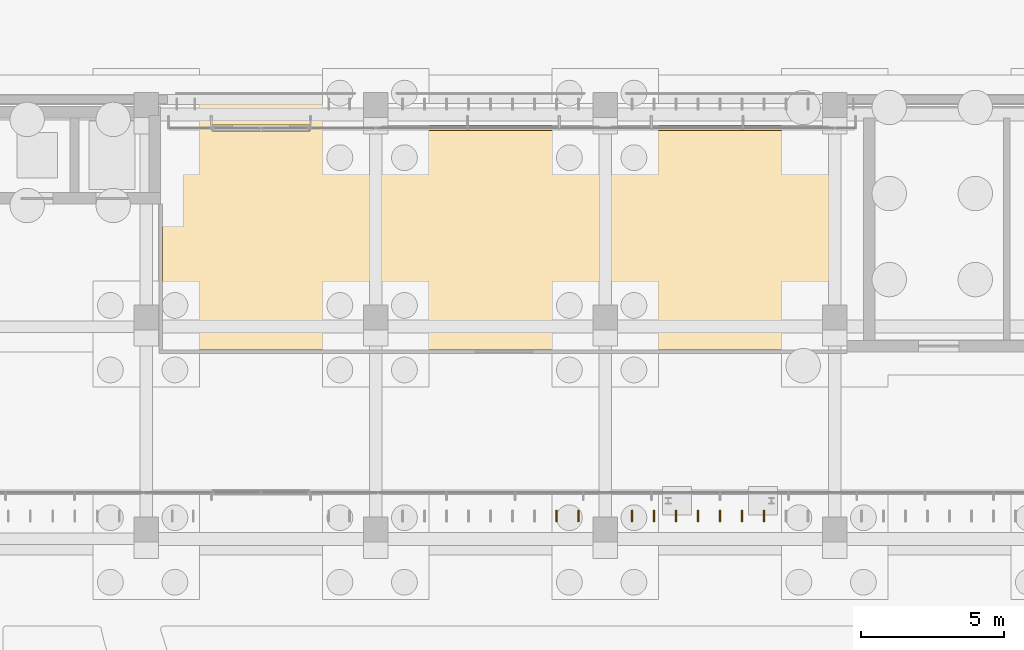
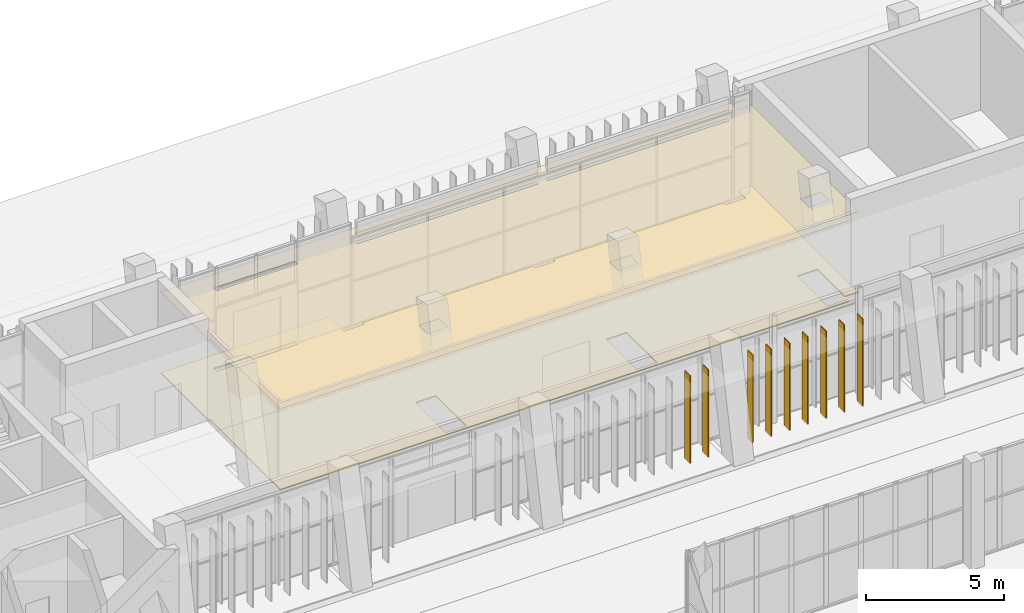
# One storey, part 133 of 144: 9 shading devices, 2 coverings.
"""IFC4 building model written with IfcOpenShell, lengths in metres."""

from ifc_helpers import new_model, si_unit, direction, frame, origin, origin_2d, place, context, subcontext, project, spatial, polyline, rectangle, outline, extrude, material, layer, layer_set, type_object, element, save


model = new_model("IFC4")

# Units and contexts
model_context = context("Model", 3, precision=1e-05, world=origin(), true_north=direction((0.0, 1.0)))
body_context = subcontext(model_context, "Body", "Model", "MODEL_VIEW")
ifc_project = project(units=[si_unit("LENGTHUNIT", "METRE"), si_unit("AREAUNIT", "SQUARE_METRE"), si_unit("VOLUMEUNIT", "CUBIC_METRE"), si_unit("PLANEANGLEUNIT", "RADIAN"), si_unit("MASSUNIT", "GRAM", prefix="KILO")], contexts=[model_context])

# Site, building, storey
site_placement = place(None, origin())
site = spatial("IfcSite", under=ifc_project, at=site_placement, CompositionType="ELEMENT")
building_placement = place(site_placement, origin())
building = spatial("IfcBuilding", under=site, at=building_placement, Name="Lantern Court Media Centre", CompositionType="ELEMENT")
storey_placement = place(building_placement, origin())
storey = spatial("IfcBuildingStorey", under=building, at=storey_placement, Name="L00", CompositionType="ELEMENT", Elevation=0.0)

# Coverings
ifc_material_1 = material(Name="Carpet")
ifc_layer_1 = layer(ifc_material_1, 0.050048828125)
ifc_layer_set_1 = layer_set([ifc_layer_1], Name="Carpet")
covering_type_1 = type_object("IfcCoveringType", Name="Carpet floor finish", PredefinedType="FLOORING", material=ifc_layer_set_1)
covering_1_placement = place(storey_placement, origin())
element("IfcCovering", 1, at=covering_1_placement, inside=storey, type_object=covering_type_1, Name="Newsroom floor finish", PredefinedType="FLOORING", context=body_context, shape_type="SweptSolid", body=[
    extrude(outline(polyline([(39.570068359375, 111.699951171875), (39.574951171875, 110.63671875), (40.426025390625, 110.63671875), (40.429931640625, 110.77001953125), (47.570068359375, 110.77001953125), (47.574951171875, 110.63671875), (48.426025390625, 110.63671875), (48.429931640625, 110.77001953125), (55.570068359375, 110.77001953125), (55.573974609375, 110.63671875), (56.425048828125, 110.63671875), (56.429931640625, 111.195068359375), (56.9951171875, 111.195068359375), (56.9951171875, 103.455078125), (56.429931640625, 103.455078125), (56.42919921875, 105.427734375), (55.574951171875, 105.429931640625), (55.5703125, 103.23974609375), (56.419921875, 103.23681640625), (56.419921875, 103.117431640625), (32.5673828125, 103.117431640625), (32.5673828125, 108.195068359375), (32.5048828125, 108.199951171875), (32.5, 111.695068359375), (39.570068359375, 111.699951171875)]), holes=[polyline([(47.570068359375, 103.24169921875), (48.4296875, 103.23974609375), (48.427001953125, 105.4296875), (47.5703125, 105.427001953125), (47.570068359375, 103.24169921875)]), polyline([(39.570068359375, 103.24169921875), (40.4296875, 103.23974609375), (40.427001953125, 105.4296875), (39.5703125, 105.427001953125), (39.570068359375, 103.24169921875)]), polyline([(37.705078125, 110.949951171875), (34.299560546875, 110.955078125), (34.294921875, 110.74951171875), (37.700439453125, 110.7451171875), (37.705078125, 110.949951171875)])]), origin(), (0.0, 0.0, 1.0), 0.050048828125),
])
ifc_material_2 = material(Name="Mineral fibre ceiling tile")
ifc_layer_2 = layer(ifc_material_2, 0.02001953125)
ifc_layer_set_2 = layer_set([ifc_layer_2], Name="Mineral fibre ceiling tile")
covering_type_2 = type_object("IfcCoveringType", Name="Suspended ceiling tile", PredefinedType="CEILING", material=ifc_layer_set_2)
covering_2_placement = place(storey_placement, frame((0.0, 0.0, 3.60009765625)))
element("IfcCovering", 2, at=covering_2_placement, inside=storey, type_object=covering_type_2, Name="Newsroom ceiling", PredefinedType="CEILING", context=body_context, shape_type="SweptSolid", body=[
    extrude(outline(polyline([(57.0, 111.6005859375), (56.424560546875, 111.60009765625), (56.4248046875, 111.199462890625), (56.99951171875, 111.199462890625), (56.99951171875, 103.450439453125), (56.4248046875, 103.450439453125), (56.424560546875, 103.113037109375), (32.56298828125, 103.113037109375), (32.56298828125, 108.195068359375), (32.5, 108.195556640625), (32.5, 111.699462890625), (57.0, 111.699462890625), (57.0, 111.6005859375)]), holes=[polyline([(56.425048828125, 104.574462890625), (56.42529296875, 105.177490234375), (55.574462890625, 105.177490234375), (55.57470703125, 104.574462890625), (56.425048828125, 104.574462890625)]), polyline([(55.800537109375, 110.925048828125), (48.199951171875, 110.925537109375), (48.199462890625, 110.77490234375), (55.800048828125, 110.7744140625), (55.800537109375, 110.925048828125)]), polyline([(48.425048828125, 104.574462890625), (48.42529296875, 105.177490234375), (47.574462890625, 105.177490234375), (47.57470703125, 104.574462890625), (48.425048828125, 104.574462890625)]), polyline([(47.800537109375, 110.925048828125), (40.199951171875, 110.925537109375), (40.199462890625, 110.77490234375), (47.800048828125, 110.7744140625), (47.800537109375, 110.925048828125)]), polyline([(40.425048828125, 104.574462890625), (40.42529296875, 105.177490234375), (39.574462890625, 105.177490234375), (39.57470703125, 104.574462890625), (40.425048828125, 104.574462890625)]), polyline([(37.700439453125, 110.949951171875), (34.300048828125, 110.950439453125), (34.299560546875, 110.75), (37.699951171875, 110.74951171875), (37.700439453125, 110.949951171875)])]), origin(), (0.0, 0.0, 1.0), 0.02001953125),
])

# Shading devices
ifc_material_3 = material(Name="Bronze anodised aluminium louvre", Category="aluminium")
ifc_layer_3 = layer(ifc_material_3, 0.0400390625)
ifc_layer_set_3 = layer_set([ifc_layer_3], Name="Bronze anodised aluminium louvre")
shading_device_type = type_object("IfcShadingDeviceType", Name="Vertical louvre 40x400 under beam", PredefinedType="USERDEFINED", material=ifc_layer_set_3)
for number, where, z_axis, x_axis, name in (
    (3, (46.300048828125, 97.320068359375, 0.0), (0.0, 0.0, 1.0), (1.0, 0.0, 0.0), "Vertical louvre N inner L00"),
    (4, (47.066650390625, 97.320068359375, 0.0), (0.0, 0.0, 1.0), (1.0, 0.0, 0.0), "Vertical louvre N inner L00"),
    (5, (48.933349609375, 97.320068359375, 0.0), (0.0, 0.0, 1.0), (1.0, 0.0, 0.0), "Vertical louvre N inner L00"),
    (6, (49.699951171875, 97.320068359375, 0.0), (0.0, 0.0, 1.0), (1.0, 0.0, 0.0), "Vertical louvre N inner L00"),
    (7, (50.466552734375, 97.320068359375, 0.0), (0.0, 0.0, 1.0), (1.0, 0.0, 0.0), "Vertical louvre N inner L00"),
    (8, (51.2333984375, 97.320068359375, 0.0), (0.0, 0.0, 1.0), (1.0, 0.0, 0.0), "Vertical louvre N inner L00"),
    (9, (52.0, 97.320068359375, 0.0), (0.0, 0.0, 1.0), (1.0, 0.0, 0.0), "Vertical louvre N inner L00"),
    (10, (52.7666015625, 97.320068359375, 0.0), (0.0, 0.0, 1.0), (1.0, 0.0, 0.0), "Vertical louvre N inner L00"),
    (11, (53.533447265625, 97.320068359375, 0.0), (0.0, 0.0, 1.0), (1.0, 0.0, 0.0), "Vertical louvre N inner L00"),
):
    element("IfcShadingDevice", number, at=place(storey_placement, frame(where, z_axis=z_axis, x_axis=x_axis)), inside=storey, type_object=shading_device_type, Name=name, ObjectType="VERTICAL LOUVRE", PredefinedType="USERDEFINED", context=body_context, shape_type="SweptSolid", body=[
        extrude(rectangle(XDim=0.0400390625, YDim=0.39990234375, at=origin_2d()), origin(), (0.0, 0.0, 1.0), 3.89990234375),
    ])

save(model, "model.ifc")
